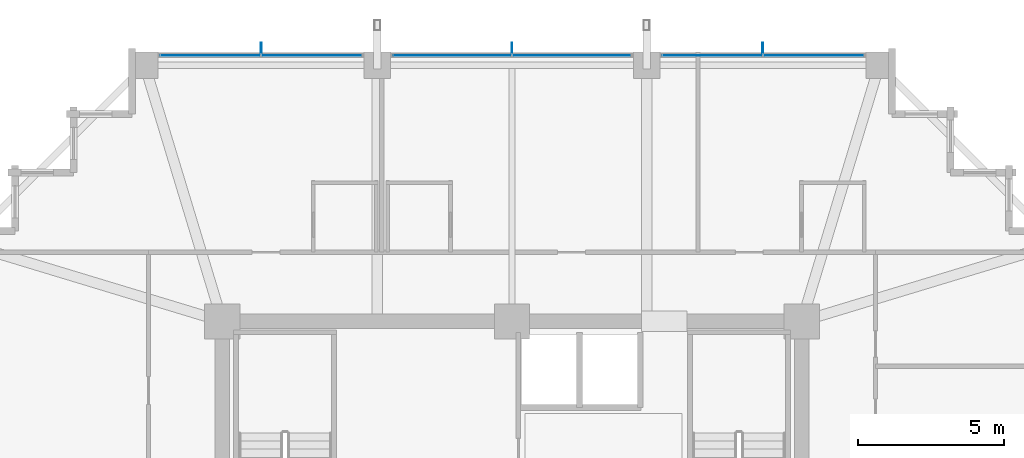
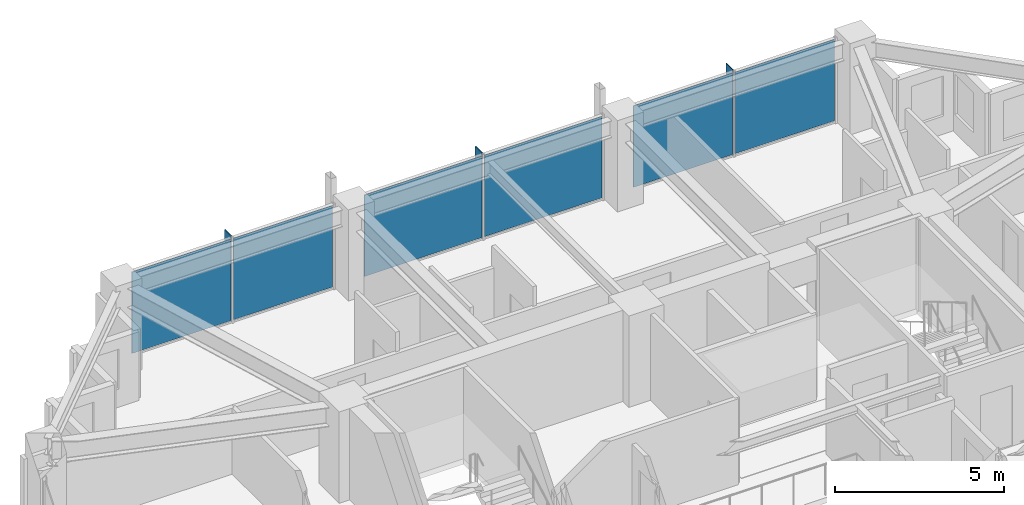
# One storey, part 29 of 35: 9 plates, 3 elements without a shape of their own.
"""IFC4 building model written with IfcOpenShell, lengths in metres."""

from ifc_helpers import new_model, si_unit, direction, frame, origin, origin_2d, place, context, subcontext, project, spatial, rectangle, extrude, material, layer, layer_set, type_object, element, aggregate, save


model = new_model("IFC4")

# Units and contexts
model_context = context("Model", 3, precision=1e-05, world=origin(), true_north=direction((0.0, 1.0)))
body_context = subcontext(model_context, "Body", "Model", "MODEL_VIEW")
ifc_project = project(units=[si_unit("LENGTHUNIT", "METRE"), si_unit("AREAUNIT", "SQUARE_METRE"), si_unit("VOLUMEUNIT", "CUBIC_METRE"), si_unit("PLANEANGLEUNIT", "RADIAN"), si_unit("MASSUNIT", "GRAM", prefix="KILO")], contexts=[model_context])

# Site, building, storey
site_placement = place(None, origin())
site = spatial("IfcSite", under=ifc_project, at=site_placement, CompositionType="ELEMENT")
building_placement = place(site_placement, origin())
building = spatial("IfcBuilding", under=site, at=building_placement, Name="Kolvaren Belvedere", CompositionType="ELEMENT")
storey_placement = place(building_placement, frame((0.0, 0.0, 163.5)))
storey = spatial("IfcBuildingStorey", under=building, at=storey_placement, Name="L47", CompositionType="ELEMENT", Elevation=163.5)

# Curtain wall, plates
ifc_material_1 = material(Name="Anodised pale-metal aluminium AA 6063-T6", Category="aluminium")
curtain_wall_type = type_object("IfcCurtainWallType", Name="CW-Z3-WAIST", PredefinedType="NOTDEFINED", material=ifc_material_1)
curtain_wall_1_placement = place(storey_placement, origin())
curtain_wall_1 = element("IfcCurtainWall", 1, at=curtain_wall_1_placement, inside=storey, type_object=curtain_wall_type, Name="L47 Unitised Curtain Wall FCW-L47-N-B1", PredefinedType="NOTDEFINED")
ifc_material_2 = material(Name="Low-iron triple insulated glass", Category="glass")
ifc_layer_1 = layer(ifc_material_2, 0.028076171875)
ifc_layer_set_1 = layer_set([ifc_layer_1], Name="Low-iron triple insulated glass")
plate_type_1 = type_object("IfcPlateType", Name="CW-PNL-VIS28", PredefinedType="CURTAIN_PANEL", material=ifc_layer_set_1)
plate_1_placement = place(storey_placement, frame((-10.311279296875, 18.97998046875, 0.080078125), z_axis=(0.0, 0.0, 1.0), x_axis=(1.0, 0.0, 0.0)))
plate_1 = element("IfcPlate", 2, at=plate_1_placement, type_object=plate_type_1, Name="FCW-L47-N-B1 Vision Glazing Panel 1", PredefinedType="CURTAIN_PANEL", context=body_context, shape_type="SweptSolid", body=[
    extrude(rectangle(XDim=3.392578125, YDim=0.028076171875, at=origin_2d()), origin(), (0.0, 0.0, 1.0), 2.93994140625),
])
plate_2_placement = place(storey_placement, frame((-6.8388671875, 18.97998046875, 0.080078125), z_axis=(0.0, 0.0, 1.0), x_axis=(1.0, 0.0, 0.0)))
plate_2 = element("IfcPlate", 3, at=plate_2_placement, type_object=plate_type_1, Name="FCW-L47-N-B1 Vision Glazing Panel 2", PredefinedType="CURTAIN_PANEL", context=body_context, shape_type="SweptSolid", body=[
    extrude(rectangle(XDim=3.392578125, YDim=0.028076171875, at=origin_2d()), origin(), (0.0, 0.0, 1.0), 2.93994140625),
])
aggregate(curtain_wall_1, [plate_1, plate_2])

curtain_wall_2_placement = place(storey_placement, origin())
curtain_wall_2 = element("IfcCurtainWall", 4, at=curtain_wall_2_placement, inside=storey, type_object=curtain_wall_type, Name="L47 Unitised Curtain Wall FCW-L47-N-B2", PredefinedType="NOTDEFINED")
plate_3_placement = place(storey_placement, frame((-2.048828125, 18.97998046875, 0.080078125), z_axis=(0.0, 0.0, 1.0), x_axis=(1.0, 0.0, 0.0)))
plate_3 = element("IfcPlate", 5, at=plate_3_placement, type_object=plate_type_1, Name="FCW-L47-N-B2 Vision Glazing Panel 1", PredefinedType="CURTAIN_PANEL", context=body_context, shape_type="SweptSolid", body=[
    extrude(rectangle(XDim=4.017578125, YDim=0.028076171875, at=origin_2d()), origin(), (0.0, 0.0, 1.0), 2.93994140625),
])
plate_4_placement = place(storey_placement, frame((2.048828125, 18.97998046875, 0.080078125), z_axis=(0.0, 0.0, 1.0), x_axis=(1.0, 0.0, 0.0)))
plate_4 = element("IfcPlate", 6, at=plate_4_placement, type_object=plate_type_1, Name="FCW-L47-N-B2 Vision Glazing Panel 2", PredefinedType="CURTAIN_PANEL", context=body_context, shape_type="SweptSolid", body=[
    extrude(rectangle(XDim=4.017578125, YDim=0.028076171875, at=origin_2d()), origin(), (0.0, 0.0, 1.0), 2.93994140625),
])
aggregate(curtain_wall_2, [plate_3, plate_4])

curtain_wall_3_placement = place(storey_placement, origin())
curtain_wall_3 = element("IfcCurtainWall", 7, at=curtain_wall_3_placement, inside=storey, type_object=curtain_wall_type, Name="L47 Unitised Curtain Wall FCW-L47-N-B3", PredefinedType="NOTDEFINED")
plate_5_placement = place(storey_placement, frame((6.8388671875, 18.97998046875, 0.080078125), z_axis=(0.0, 0.0, 1.0), x_axis=(1.0, 0.0, 0.0)))
plate_5 = element("IfcPlate", 8, at=plate_5_placement, type_object=plate_type_1, Name="FCW-L47-N-B3 Vision Glazing Panel 1", PredefinedType="CURTAIN_PANEL", context=body_context, shape_type="SweptSolid", body=[
    extrude(rectangle(XDim=3.392578125, YDim=0.028076171875, at=origin_2d()), origin(), (0.0, 0.0, 1.0), 2.93994140625),
])
plate_6_placement = place(storey_placement, frame((10.311279296875, 18.97998046875, 0.080078125), z_axis=(0.0, 0.0, 1.0), x_axis=(1.0, 0.0, 0.0)))
plate_6 = element("IfcPlate", 9, at=plate_6_placement, type_object=plate_type_1, Name="FCW-L47-N-B3 Vision Glazing Panel 2", PredefinedType="CURTAIN_PANEL", context=body_context, shape_type="SweptSolid", body=[
    extrude(rectangle(XDim=3.392578125, YDim=0.028076171875, at=origin_2d()), origin(), (0.0, 0.0, 1.0), 2.93994140625),
])
aggregate(curtain_wall_3, [plate_5, plate_6])

# Plates
ifc_material_3 = material(Name="Anodised pale-metal aluminium AA 6063-T6", Category="aluminium")
ifc_layer_2 = layer(ifc_material_3, 0.033935546875)
ifc_layer_set_2 = layer_set([ifc_layer_2], Name="Anodised pale-metal aluminium AA 6063-T6")
plate_type_2 = type_object("IfcPlateType", Name="FIN-VERT-380", PredefinedType="USERDEFINED", material=ifc_layer_set_2)
for number, where, z_axis, x_axis, name in (
    (10, (-8.574951171875, 19.219970703125, 0.0), (0.0, 0.0, 1.0), (0.0, 1.0, 0.0), "L47 Pale-Metal Vertical Shading Fin FCW-L47-N-B1-1"),
    (11, (0.0, 19.219970703125, 0.0), (0.0, 0.0, 1.0), (0.0, 1.0, 0.0), "L47 Pale-Metal Vertical Shading Fin FCW-L47-N-B2-1"),
    (12, (8.574951171875, 19.219970703125, 0.0), (0.0, 0.0, 1.0), (0.0, 1.0, 0.0), "L47 Pale-Metal Vertical Shading Fin FCW-L47-N-B3-1"),
):
    element("IfcPlate", number, at=place(storey_placement, frame(where, z_axis=z_axis, x_axis=x_axis)), inside=storey, type_object=plate_type_2, Name=name, ObjectType="VERTICAL FIN", PredefinedType="USERDEFINED", context=body_context, shape_type="SweptSolid", body=[
        extrude(rectangle(XDim=0.3798828125, YDim=0.033935546875, at=origin_2d()), origin(), (0.0, 0.0, 1.0), 3.10009765625),
    ])

save(model, "model.ifc")
